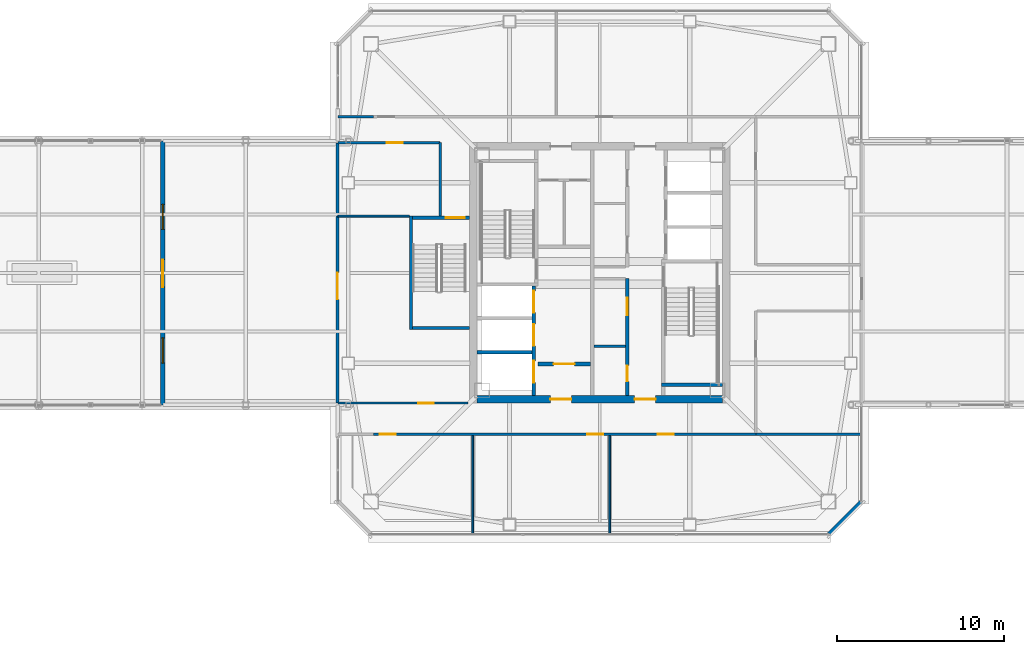
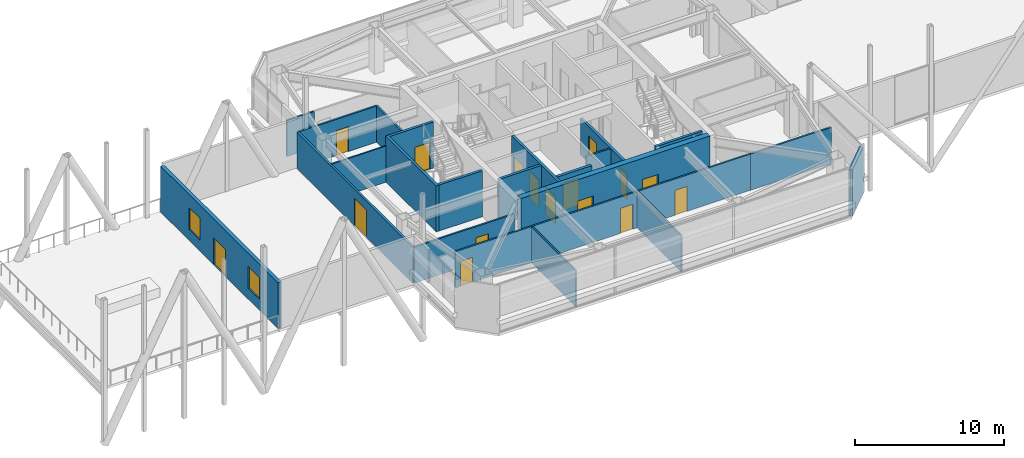
# One storey, part 42 of 53: 22 walls, 16 doors, 2 windows, 18 openings.
"""IFC4 building model written with IfcOpenShell, lengths in metres."""

from ifc_helpers import new_model, si_unit, direction, frame, frame_2d, origin, place, context, subcontext, project, spatial, rectangle, extrude, material, layer, layer_set, type_object, element, fill, save


model = new_model("IFC4")

# Units and contexts
model_context = context("Model", 3, precision=1e-05, world=origin(), true_north=direction((0.0, 1.0)))
body_context = subcontext(model_context, "Body", "Model", "MODEL_VIEW")
ifc_project = project(units=[si_unit("LENGTHUNIT", "METRE"), si_unit("AREAUNIT", "SQUARE_METRE"), si_unit("VOLUMEUNIT", "CUBIC_METRE"), si_unit("PLANEANGLEUNIT", "RADIAN"), si_unit("MASSUNIT", "GRAM", prefix="KILO")], contexts=[model_context])

# Site, building, storey
site_placement = place(None, origin())
site = spatial("IfcSite", under=ifc_project, at=site_placement, CompositionType="ELEMENT")
building_placement = place(site_placement, origin())
building = spatial("IfcBuilding", under=site, at=building_placement, Name="Tashvorn Skyway Center", CompositionType="ELEMENT")
storey_placement = place(building_placement, frame((0.0, 0.0, 255.39990234375)))
storey = spatial("IfcBuildingStorey", under=building, at=storey_placement, Name="L69", CompositionType="ELEMENT", Elevation=255.39990234375)

# Wall, openings, doors
ifc_material_1 = material(Name="Concrete C50/60", Category="concrete")
ifc_layer_1 = layer(ifc_material_1, 0.449951171875)
ifc_layer_set_1 = layer_set([ifc_layer_1], Name="Concrete C50/60")
wall_type_1 = type_object("IfcWallType", Name="WALL-CORE-450", PredefinedType="SHEAR", material=ifc_layer_set_1)
wall_1_placement = place(storey_placement, frame((49.35009765625, 24.425048828125, 0.0), z_axis=(0.0, 0.0, 1.0), x_axis=(-1.0, 0.0, 0.0)))
wall_1 = element("IfcWall", 1, at=wall_1_placement, inside=storey, type_object=wall_type_1, Name="Tower 1 L69 South Core Shear Wall", PredefinedType="SHEAR", context=body_context, shape_type="SweptSolid", body=[
    extrude(rectangle(XDim=14.7001953125, YDim=0.449951171875, at=frame_2d((7.35009765625, 0.0))), origin(), (0.0, 0.0, 1.0), 4.0),
])
opening_1_placement = place(wall_1_placement, frame((9.050048828125, 0.0, 0.0)))
opening_1 = element("IfcOpeningElement", 2, at=opening_1_placement, cuts=wall_1, Name="Opening D-FFL-1250", PredefinedType="OPENING", context=body_context, shape_type="SweptSolid", body=[
    extrude(rectangle(XDim=1.25, YDim=2.25, at=frame_2d((0.625, 1.125))), frame((0.0, 0.23486328125, 0.0), z_axis=(0.0, -1.0, 0.0), x_axis=(1.0, 0.0, 0.0)), (0.0, 0.0, 1.0), 0.469970703125),
])
opening_2_placement = place(wall_1_placement, frame((4.0, 0.0, 0.0)))
opening_2 = element("IfcOpeningElement", 3, at=opening_2_placement, cuts=wall_1, Name="Opening D-FFL-1250", PredefinedType="OPENING", context=body_context, shape_type="SweptSolid", body=[
    extrude(rectangle(XDim=1.25, YDim=2.25, at=frame_2d((0.625, 1.125))), frame((0.0, 0.23486328125, 0.0), z_axis=(0.0, -1.0, 0.0), x_axis=(1.0, 0.0, 0.0)), (0.0, 0.0, 1.0), 0.469970703125),
])
ifc_material_2 = material(Name="Hollow galvanized steel fire door assembly", Category="steel")
door_type_1 = type_object("IfcDoorType", Name="DOOR-FFL-1250", OperationType="NOTDEFINED", PredefinedType="DOOR", material=ifc_material_2)
door_1_placement = place(opening_1_placement, origin())
door_1 = element("IfcDoor", 4, at=door_1_placement, inside=storey, type_object=door_type_1, Name="Tower 1 L69 Core South Firefighting Exit Door", OperationType="SINGLE_SWING_LEFT", OverallHeight=2.25, OverallWidth=1.25, PredefinedType="DOOR", context=body_context, shape_type="SweptSolid", body=[
    extrude(rectangle(XDim=1.25, YDim=2.25, at=frame_2d((0.625, 1.125))), frame((0.0, 0.02490234375, 0.0), z_axis=(0.0, -1.0, 0.0), x_axis=(1.0, 0.0, 0.0)), (0.0, 0.0, 1.0), 0.050048828125),
])
fill(opening_1, door_1)
door_2_placement = place(opening_2_placement, origin())
door_2 = element("IfcDoor", 5, at=door_2_placement, inside=storey, type_object=door_type_1, Name="Tower 1 L69 Core South Lift Lobby Door", OperationType="SINGLE_SWING_RIGHT", OverallHeight=2.25, OverallWidth=1.25, PredefinedType="DOOR", context=body_context, shape_type="SweptSolid", body=[
    extrude(rectangle(XDim=1.25, YDim=2.25, at=frame_2d((0.625, 1.125))), frame((0.0, 0.02490234375, 0.0), z_axis=(0.0, -1.0, 0.0), x_axis=(1.0, 0.0, 0.0)), (0.0, 0.0, 1.0), 0.050048828125),
])
fill(opening_2, door_2)

# Wall
ifc_material_3 = material(Name="Precast concrete C40/50", Category="concrete")
ifc_layer_2 = layer(ifc_material_3, 0.280029296875)
ifc_layer_set_2 = layer_set([ifc_layer_2], Name="Precast concrete C40/50")
wall_type_2 = type_object("IfcWallType", Name="WALL-EXT-280", PredefinedType="SOLIDWALL", material=ifc_layer_set_2)
wall_2_placement = place(storey_placement, frame((57.699951171875, 18.300048828125, 0.0), z_axis=(0.0, 0.0, 1.0), x_axis=(-0.707106781187, -0.707106781187, 0.0)))
element("IfcWall", 6, at=wall_2_placement, inside=storey, type_object=wall_type_2, Name="Tower 1 L69 SE Precast Chamfer Wall", PredefinedType="SOLIDWALL", context=body_context, shape_type="SweptSolid", body=[
    extrude(rectangle(XDim=2.828369140625, YDim=0.280029296875, at=frame_2d((1.4140625, 0.0))), origin(), (0.0, 0.0, 1.0), 3.780029296875),
])

# Wall, openings, door, windows
wall_3_placement = place(storey_placement, frame((15.840087890625, 24.10009765625, 0.0), z_axis=(0.0, 0.0, 1.0), x_axis=(0.0, 1.0, 0.0)))
wall_3 = element("IfcWall", 7, at=wall_3_placement, inside=storey, type_object=wall_type_2, Name="Sky-Park L69 West Sky-Garden Portal Wall", PredefinedType="SOLIDWALL", context=body_context, shape_type="SweptSolid", body=[
    extrude(rectangle(XDim=15.7998046875, YDim=0.280029296875, at=frame_2d((7.89990234375, 0.0))), origin(), (0.0, 0.0, 1.0), 3.780029296875),
])
opening_3_placement = place(wall_3_placement, frame((7.050048828125, 0.0, 0.0)))
opening_3 = element("IfcOpeningElement", 8, at=opening_3_placement, cuts=wall_3, Name="Opening D-TER-1650", PredefinedType="OPENING", context=body_context, shape_type="SweptSolid", body=[
    extrude(rectangle(XDim=1.64990234375, YDim=2.199951171875, at=frame_2d((0.824951171875, 1.10009765625))), frame((0.0, 0.14990234375, 0.0), z_axis=(0.0, -1.0, 0.0), x_axis=(1.0, 0.0, 0.0)), (0.0, 0.0, 1.0), 0.300048828125),
])
opening_4_placement = place(wall_3_placement, frame((2.5, 0.0, 0.89990234375)))
opening_4 = element("IfcOpeningElement", 9, at=opening_4_placement, cuts=wall_3, Name="Opening WIN-1500", PredefinedType="OPENING", context=body_context, shape_type="SweptSolid", body=[
    extrude(rectangle(XDim=1.5, YDim=1.800048828125, at=frame_2d((0.75, 0.89990234375))), frame((0.0, 0.14990234375, 0.0), z_axis=(0.0, -1.0, 0.0), x_axis=(1.0, 0.0, 0.0)), (0.0, 0.0, 1.0), 0.300048828125),
])
opening_5_placement = place(wall_3_placement, frame((10.5, 0.0, 0.89990234375)))
opening_5 = element("IfcOpeningElement", 10, at=opening_5_placement, cuts=wall_3, Name="Opening WIN-1500", PredefinedType="OPENING", context=body_context, shape_type="SweptSolid", body=[
    extrude(rectangle(XDim=1.5, YDim=1.800048828125, at=frame_2d((0.75, 0.89990234375))), frame((0.0, 0.14990234375, 0.0), z_axis=(0.0, -1.0, 0.0), x_axis=(1.0, 0.0, 0.0)), (0.0, 0.0, 1.0), 0.300048828125),
])
ifc_material_4 = material(Name="Thermally broken bronze-anodized aluminium 6063-T6", Category="aluminium")
door_type_2 = type_object("IfcDoorType", Name="DOOR-TERR-1650", OperationType="DOUBLE_DOOR_SINGLE_SWING", PredefinedType="DOOR", material=ifc_material_4)
door_3_placement = place(opening_3_placement, origin())
door_3 = element("IfcDoor", 11, at=door_3_placement, inside=storey, type_object=door_type_2, Name="Sky-Park L69 Cantilever Terrace Double Door", OperationType="DOUBLE_DOOR_SINGLE_SWING", OverallHeight=2.199951171875, OverallWidth=1.64990234375, PredefinedType="DOOR", context=body_context, shape_type="SweptSolid", body=[
    extrude(rectangle(XDim=1.64990234375, YDim=2.199951171875, at=frame_2d((0.824951171875, 1.10009765625))), frame((0.0, 0.02490234375, 0.0), z_axis=(0.0, -1.0, 0.0), x_axis=(1.0, 0.0, 0.0)), (0.0, 0.0, 1.0), 0.050048828125),
])
fill(opening_3, door_3)
ifc_material_5 = material(Name="Low-E solar-control double insulating safety glass", Category="glass")
window_type = type_object("IfcWindowType", Name="WIN-PAV-1500", PartitioningType="SINGLE_PANEL", PredefinedType="WINDOW", material=ifc_material_5)
window_1_placement = place(opening_4_placement, origin())
window_1 = element("IfcWindow", 12, at=window_1_placement, inside=storey, type_object=window_type, Name="Sky-Park L69 Cantilever Portal Window South", OverallHeight=1.800048828125, OverallWidth=1.5, PartitioningType="SINGLE_PANEL", PredefinedType="WINDOW", context=body_context, shape_type="SweptSolid", body=[
    extrude(rectangle(XDim=1.5, YDim=1.800048828125, at=frame_2d((0.75, 0.89990234375))), frame((0.0, 0.030029296875, 0.0), z_axis=(0.0, -1.0, 0.0), x_axis=(1.0, 0.0, 0.0)), (0.0, 0.0, 1.0), 0.06005859375),
])
fill(opening_4, window_1)
window_2_placement = place(opening_5_placement, origin())
window_2 = element("IfcWindow", 13, at=window_2_placement, inside=storey, type_object=window_type, Name="Sky-Park L69 Cantilever Portal Window North", OverallHeight=1.800048828125, OverallWidth=1.5, PartitioningType="SINGLE_PANEL", PredefinedType="WINDOW", context=body_context, shape_type="SweptSolid", body=[
    extrude(rectangle(XDim=1.5, YDim=1.800048828125, at=frame_2d((0.75, 0.89990234375))), frame((0.0, 0.030029296875, 0.0), z_axis=(0.0, -1.0, 0.0), x_axis=(1.0, 0.0, 0.0)), (0.0, 0.0, 1.0), 0.06005859375),
])
fill(opening_5, window_2)

# Wall, opening, door
ifc_material_6 = material(Name="Concrete C40/50", Category="concrete")
ifc_layer_3 = layer(ifc_material_6, 0.219970703125)
ifc_layer_set_3 = layer_set([ifc_layer_3], Name="Concrete C40/50")
wall_type_3 = type_object("IfcWallType", Name="WALL-FFL-220", PredefinedType="SOLIDWALL", material=ifc_layer_set_3)
wall_4_placement = place(storey_placement, frame((38.300048828125, 26.5400390625, 0.0), z_axis=(0.0, 0.0, 1.0), x_axis=(1.0, 0.0, 0.0)))
wall_4 = element("IfcWall", 14, at=wall_4_placement, inside=storey, type_object=wall_type_3, Name="Tower 1 L69 Firefighting Lobby South Wall", PredefinedType="SOLIDWALL", context=body_context, shape_type="SweptSolid", body=[
    extrude(rectangle(XDim=3.14990234375, YDim=0.219970703125, at=frame_2d((1.574951171875, 0.0))), origin(), (0.0, 0.0, 1.0), 2.97119140625),
])
opening_6_placement = place(wall_4_placement, frame((0.949951171875, 0.0, 0.0)))
opening_6 = element("IfcOpeningElement", 15, at=opening_6_placement, cuts=wall_4, Name="Opening D-FFL-1250", PredefinedType="OPENING", context=body_context, shape_type="SweptSolid", body=[
    extrude(rectangle(XDim=1.25, YDim=2.25, at=frame_2d((0.625, 1.125))), frame((0.0, 0.119873046875, 0.0), z_axis=(0.0, -1.0, 0.0), x_axis=(1.0, 0.0, 0.0)), (0.0, 0.0, 1.0), 0.239990234375),
])
door_4_placement = place(opening_6_placement, origin())
door_4 = element("IfcDoor", 16, at=door_4_placement, inside=storey, type_object=door_type_1, Name="Tower 1 L69 Firefighting Lobby Egress Door", OperationType="SINGLE_SWING_LEFT", OverallHeight=2.25, OverallWidth=1.25, PredefinedType="DOOR", context=body_context, shape_type="SweptSolid", body=[
    extrude(rectangle(XDim=1.25, YDim=2.25, at=frame_2d((0.625, 1.125))), frame((0.0, 0.02490234375, 0.0), z_axis=(0.0, -1.0, 0.0), x_axis=(1.0, 0.0, 0.0)), (0.0, 0.0, 1.0), 0.050048828125),
])
fill(opening_6, door_4)

# Walls
ifc_material_7 = material(Name="Gypsum board on cold-formed steel stud framing", Category="steel")
ifc_layer_4 = layer(ifc_material_7, 0.110107421875)
ifc_layer_set_4 = layer_set([ifc_layer_4], Name="Gypsum board on cold-formed steel stud framing")
wall_type_4 = type_object("IfcWallType", Name="WALL-PART-110", PredefinedType="PARTITIONING", material=ifc_layer_set_4)
for number, where, z_axis, x_axis, name in (
    (17, (34.39990234375, 16.320068359375, 0.0), (0.0, 0.0, 1.0), (0.0, 1.0, 0.0), "Tower 1 L69 South Suite Partition 1"),
    (18, (42.60009765625, 16.320068359375, 0.0), (0.0, 0.0, 1.0), (0.0, 1.0, 0.0), "Tower 1 L69 South Suite Partition 2"),
):
    element("IfcWall", number, at=place(storey_placement, frame(where, z_axis=z_axis, x_axis=x_axis)), inside=storey, type_object=wall_type_4, Name=name, PredefinedType="PARTITIONING", context=body_context, shape_type="SweptSolid", body=[
        extrude(rectangle(XDim=5.929931640625, YDim=0.110107421875, at=frame_2d((2.96484375, 0.0))), origin(), (0.0, 0.0, 1.0), 2.97119140625),
    ])
wall_5_placement = place(storey_placement, frame((30.60009765625, 35.39990234375, 0.0), z_axis=(0.0, 0.0, 1.0), x_axis=(-1.0, 0.0, 0.0)))
element("IfcWall", 19, at=wall_5_placement, inside=storey, type_object=wall_type_4, Name="Tower 1 L69 West Suite Partition 1", PredefinedType="PARTITIONING", context=body_context, shape_type="SweptSolid", body=[
    extrude(rectangle(XDim=4.280029296875, YDim=0.110107421875, at=frame_2d((2.14013671875, 0.0))), origin(), (0.0, 0.0, 1.0), 2.97119140625),
])
ifc_layer_5 = layer(ifc_material_7, 0.135009765625)
ifc_layer_set_5 = layer_set([ifc_layer_5], Name="Gypsum board on cold-formed steel stud framing")
wall_type_5 = type_object("IfcWallType", Name="WALL-PART-135", PredefinedType="PARTITIONING", material=ifc_layer_set_5)
wall_6_placement = place(storey_placement, frame((32.449951171875, 35.39990234375, 0.0), z_axis=(0.0, 0.0, 1.0), x_axis=(0.0, 1.0, 0.0)))
element("IfcWall", 20, at=wall_6_placement, inside=storey, type_object=wall_type_5, Name="Tower 1 L69 Stair 3 Access Corridor Wall", PredefinedType="PARTITIONING", context=body_context, shape_type="SweptSolid", body=[
    extrude(rectangle(XDim=4.400146484375, YDim=0.135009765625, at=frame_2d((2.2001953125, 0.0))), origin(), (0.0, 0.0, 1.0), 2.97119140625),
])
wall_7_placement = place(storey_placement, frame((26.320068359375, 41.35009765625, 0.0), z_axis=(0.0, 0.0, 1.0), x_axis=(1.0, 0.0, 0.0)))
element("IfcWall", 21, at=wall_7_placement, inside=storey, type_object=wall_type_5, Name="Tower 1 L69 North-West Suite South Wall", PredefinedType="PARTITIONING", context=body_context, shape_type="SweptSolid", body=[
    extrude(rectangle(XDim=2.1298828125, YDim=0.135009765625, at=frame_2d((1.06494140625, 0.0))), origin(), (0.0, 0.0, 1.0), 2.97119140625),
])

# Wall, openings, doors
wall_8_placement = place(storey_placement, frame((51.35009765625, 22.330078125, 0.0), z_axis=(0.0, 0.0, 1.0), x_axis=(-1.0, 0.0, 0.0)))
wall_8 = element("IfcWall", 22, at=wall_8_placement, inside=storey, type_object=wall_type_5, Name="Tower 1 L69 South Suite Wall", PredefinedType="PARTITIONING", context=body_context, shape_type="SweptSolid", body=[
    extrude(rectangle(XDim=22.900146484375, YDim=0.135009765625, at=frame_2d((11.4501953125, 0.0))), origin(), (0.0, 0.0, 1.0), 2.97119140625),
])
opening_7_placement = place(wall_8_placement, frame((21.570068359375, 0.0, 0.0)))
opening_7 = element("IfcOpeningElement", 23, at=opening_7_placement, cuts=wall_8, Name="Opening D-INT-950", PredefinedType="OPENING", context=body_context, shape_type="SweptSolid", body=[
    extrude(rectangle(XDim=0.949951171875, YDim=2.050048828125, at=frame_2d((0.47509765625, 1.02490234375))), frame((0.0, 0.077392578125, 0.0), z_axis=(0.0, -1.0, 0.0), x_axis=(1.0, 0.0, 0.0)), (0.0, 0.0, 1.0), 0.155029296875),
])
opening_8_placement = place(wall_8_placement, frame((9.1298828125, 0.0, 0.0)))
opening_8 = element("IfcOpeningElement", 24, at=opening_8_placement, cuts=wall_8, Name="Opening D-INT-950", PredefinedType="OPENING", context=body_context, shape_type="SweptSolid", body=[
    extrude(rectangle(XDim=0.949951171875, YDim=2.050048828125, at=frame_2d((0.47509765625, 1.02490234375))), frame((0.0, 0.077392578125, 0.0), z_axis=(0.0, -1.0, 0.0), x_axis=(1.0, 0.0, 0.0)), (0.0, 0.0, 1.0), 0.155029296875),
])
opening_9_placement = place(wall_8_placement, frame((4.90576171875, 0.0, 0.0)))
opening_9 = element("IfcOpeningElement", 25, at=opening_9_placement, cuts=wall_8, Name="Opening D-INT-950", PredefinedType="OPENING", context=body_context, shape_type="SweptSolid", body=[
    extrude(rectangle(XDim=0.949951171875, YDim=2.050048828125, at=frame_2d((0.47509765625, 1.02490234375))), frame((0.0, 0.077392578125, 0.0), z_axis=(0.0, -1.0, 0.0), x_axis=(1.0, 0.0, 0.0)), (0.0, 0.0, 1.0), 0.155029296875),
])
ifc_material_8 = material(Name="Solid-core architectural oak veneer door")
door_type_3 = type_object("IfcDoorType", Name="DOOR-INT-950", OperationType="NOTDEFINED", PredefinedType="DOOR", material=ifc_material_8)
door_5_placement = place(opening_7_placement, origin())
door_5 = element("IfcDoor", 26, at=door_5_placement, inside=storey, type_object=door_type_3, Name="Tower 1 L69 Open Plan Office Door", OperationType="SINGLE_SWING_RIGHT", OverallHeight=2.050048828125, OverallWidth=0.949951171875, PredefinedType="DOOR", context=body_context, shape_type="SweptSolid", body=[
    extrude(rectangle(XDim=0.949951171875, YDim=2.050048828125, at=frame_2d((0.47509765625, 1.02490234375))), frame((0.0, 0.02490234375, 0.0), z_axis=(0.0, -1.0, 0.0), x_axis=(1.0, 0.0, 0.0)), (0.0, 0.0, 1.0), 0.050048828125),
])
fill(opening_7, door_5)
door_6_placement = place(opening_8_placement, origin())
door_6 = element("IfcDoor", 27, at=door_6_placement, inside=storey, type_object=door_type_3, Name="Tower 1 L69 Staff Fitness Club Door", OperationType="SINGLE_SWING_LEFT", OverallHeight=2.050048828125, OverallWidth=0.949951171875, PredefinedType="DOOR", context=body_context, shape_type="SweptSolid", body=[
    extrude(rectangle(XDim=0.949951171875, YDim=2.050048828125, at=frame_2d((0.47509765625, 1.02490234375))), frame((0.0, 0.02490234375, 0.0), z_axis=(0.0, -1.0, 0.0), x_axis=(1.0, 0.0, 0.0)), (0.0, 0.0, 1.0), 0.050048828125),
])
fill(opening_8, door_6)
door_7_placement = place(opening_9_placement, origin())
door_7 = element("IfcDoor", 28, at=door_7_placement, inside=storey, type_object=door_type_3, Name="Tower 1 L69 Staff Fitness Club Door", OperationType="SINGLE_SWING_RIGHT", OverallHeight=2.050048828125, OverallWidth=0.949951171875, PredefinedType="DOOR", context=body_context, shape_type="SweptSolid", body=[
    extrude(rectangle(XDim=0.949951171875, YDim=2.050048828125, at=frame_2d((0.47509765625, 1.02490234375))), frame((0.0, 0.02490234375, 0.0), z_axis=(0.0, -1.0, 0.0), x_axis=(1.0, 0.0, 0.0)), (0.0, 0.0, 1.0), 0.050048828125),
])
fill(opening_9, door_7)

# Wall
wall_9_placement = place(storey_placement, frame((51.35009765625, 22.330078125, 0.0), z_axis=(0.0, 0.0, 1.0), x_axis=(1.0, 0.0, 0.0)))
element("IfcWall", 29, at=wall_9_placement, inside=storey, type_object=wall_type_5, Name="Tower 1 L69 South-East Suite North Wall", PredefinedType="PARTITIONING", context=body_context, shape_type="SweptSolid", body=[
    extrude(rectangle(XDim=6.329833984375, YDim=0.135009765625, at=frame_2d((3.1650390625, 0.0))), origin(), (0.0, 0.0, 1.0), 2.97119140625),
])

# Wall, opening, door
wall_10_placement = place(storey_placement, frame((32.449951171875, 39.800048828125, 0.0), z_axis=(0.0, 0.0, 1.0), x_axis=(-1.0, 0.0, 0.0)))
wall_10 = element("IfcWall", 30, at=wall_10_placement, inside=storey, type_object=wall_type_5, Name="Tower 1 L69 West Suite North Wall", PredefinedType="PARTITIONING", context=body_context, shape_type="SweptSolid", body=[
    extrude(rectangle(XDim=6.1298828125, YDim=0.135009765625, at=frame_2d((3.06494140625, 0.0))), origin(), (0.0, 0.0, 1.0), 2.97119140625),
])
opening_10_placement = place(wall_10_placement, frame((2.239990234375, 0.0, 0.0)))
opening_10 = element("IfcOpeningElement", 31, at=opening_10_placement, cuts=wall_10, Name="Opening D-INT-950", PredefinedType="OPENING", context=body_context, shape_type="SweptSolid", body=[
    extrude(rectangle(XDim=0.949951171875, YDim=2.050048828125, at=frame_2d((0.47509765625, 1.02490234375))), frame((0.0, 0.077392578125, 0.0), z_axis=(0.0, -1.0, 0.0), x_axis=(1.0, 0.0, 0.0)), (0.0, 0.0, 1.0), 0.155029296875),
])
door_8_placement = place(opening_10_placement, origin())
door_8 = element("IfcDoor", 32, at=door_8_placement, inside=storey, type_object=door_type_3, Name="Tower 1 L69 Staff Fitness Club Door", OperationType="SINGLE_SWING_LEFT", OverallHeight=2.050048828125, OverallWidth=0.949951171875, PredefinedType="DOOR", context=body_context, shape_type="SweptSolid", body=[
    extrude(rectangle(XDim=0.949951171875, YDim=2.050048828125, at=frame_2d((0.47509765625, 1.02490234375))), frame((0.0, 0.02490234375, 0.0), z_axis=(0.0, -1.0, 0.0), x_axis=(1.0, 0.0, 0.0)), (0.0, 0.0, 1.0), 0.050048828125),
])
fill(opening_10, door_8)

wall_11_placement = place(storey_placement, frame((26.320068359375, 24.199951171875, 0.0), z_axis=(0.0, 0.0, 1.0), x_axis=(1.0, 0.0, 0.0)))
wall_11 = element("IfcWall", 33, at=wall_11_placement, inside=storey, type_object=wall_type_5, Name="Tower 1 L69 West Suite South Wall", PredefinedType="PARTITIONING", context=body_context, shape_type="SweptSolid", body=[
    extrude(rectangle(XDim=7.800048828125, YDim=0.135009765625, at=frame_2d((3.89990234375, 0.0))), origin(), (0.0, 0.0, 1.0), 2.97119140625),
])
opening_11_placement = place(wall_11_placement, frame((4.804931640625, 0.0, 0.0)))
opening_11 = element("IfcOpeningElement", 34, at=opening_11_placement, cuts=wall_11, Name="Opening D-INT-950", PredefinedType="OPENING", context=body_context, shape_type="SweptSolid", body=[
    extrude(rectangle(XDim=0.949951171875, YDim=2.050048828125, at=frame_2d((0.47509765625, 1.02490234375))), frame((0.0, 0.077392578125, 0.0), z_axis=(0.0, -1.0, 0.0), x_axis=(1.0, 0.0, 0.0)), (0.0, 0.0, 1.0), 0.155029296875),
])
door_9_placement = place(opening_11_placement, origin())
door_9 = element("IfcDoor", 35, at=door_9_placement, inside=storey, type_object=door_type_3, Name="Tower 1 L69 Breakout Lounge Door", OperationType="SINGLE_SWING_RIGHT", OverallHeight=2.050048828125, OverallWidth=0.949951171875, PredefinedType="DOOR", context=body_context, shape_type="SweptSolid", body=[
    extrude(rectangle(XDim=0.949951171875, YDim=2.050048828125, at=frame_2d((0.47509765625, 1.02490234375))), frame((0.0, 0.02490234375, 0.0), z_axis=(0.0, -1.0, 0.0), x_axis=(1.0, 0.0, 0.0)), (0.0, 0.0, 1.0), 0.050048828125),
])
fill(opening_11, door_9)

ifc_layer_6 = layer(ifc_material_7, 0.159912109375)
ifc_layer_set_6 = layer_set([ifc_layer_6], Name="Gypsum board on cold-formed steel stud framing")
wall_type_6 = type_object("IfcWallType", Name="WALL-PART-160", PredefinedType="PARTITIONING", material=ifc_layer_set_6)
wall_12_placement = place(storey_placement, frame((26.300048828125, 24.219970703125, 0.0), z_axis=(0.0, 0.0, 1.0), x_axis=(0.0, 1.0, 0.0)))
wall_12 = element("IfcWall", 36, at=wall_12_placement, inside=storey, type_object=wall_type_6, Name="L69 Sky-Park Cantilever Entry Wall", PredefinedType="PARTITIONING", context=body_context, shape_type="SweptSolid", body=[
    extrude(rectangle(XDim=15.56005859375, YDim=0.159912109375, at=frame_2d((7.780029296875, 0.0))), origin(), (0.0, 0.0, 1.0), 2.97119140625),
])
opening_12_placement = place(wall_12_placement, frame((6.199951171875, 0.0, 0.0)))
opening_12 = element("IfcOpeningElement", 37, at=opening_12_placement, cuts=wall_12, Name="Opening D-DBL-1600", PredefinedType="OPENING", context=body_context, shape_type="SweptSolid", body=[
    extrude(rectangle(XDim=1.60009765625, YDim=2.25, at=frame_2d((0.800048828125, 1.125))), frame((0.0, 0.08984375, 0.0), z_axis=(0.0, -1.0, 0.0), x_axis=(1.0, 0.0, 0.0)), (0.0, 0.0, 1.0), 0.179931640625),
])
ifc_material_9 = material(Name="Anodized aluminium and tempered safety glass", Category="aluminium")
door_type_4 = type_object("IfcDoorType", Name="DOOR-DBL-1600", OperationType="DOUBLE_DOOR_SINGLE_SWING", PredefinedType="DOOR", material=ifc_material_9)
door_10_placement = place(opening_12_placement, origin())
door_10 = element("IfcDoor", 38, at=door_10_placement, inside=storey, type_object=door_type_4, Name="L69 Cantilever Gallery Entry Door", OperationType="DOUBLE_DOOR_SINGLE_SWING", OverallHeight=2.25, OverallWidth=1.60009765625, PredefinedType="DOOR", context=body_context, shape_type="SweptSolid", body=[
    extrude(rectangle(XDim=1.60009765625, YDim=2.25, at=frame_2d((0.800048828125, 1.125))), frame((0.0, 0.02490234375, 0.0), z_axis=(0.0, -1.0, 0.0), x_axis=(1.0, 0.0, 0.0)), (0.0, 0.0, 1.0), 0.050048828125),
])
fill(opening_12, door_10)

# Walls
ifc_layer_7 = layer(ifc_material_7, 0.135009765625)
ifc_layer_set_7 = layer_set([ifc_layer_7], Name="Gypsum board on cold-formed steel stud framing")
wall_type_7 = type_object("IfcWallType", Name="WALL-RATED-135", PredefinedType="PARTITIONING", material=ifc_layer_set_7)
wall_13_placement = place(storey_placement, frame((41.669921875, 27.60009765625, 0.0), z_axis=(0.0, 0.0, 1.0), x_axis=(1.0, 0.0, 0.0)))
element("IfcWall", 39, at=wall_13_placement, inside=storey, type_object=wall_type_7, Name="Tower 1 L69 Freed Core Partition", PredefinedType="PARTITIONING", context=body_context, shape_type="SweptSolid", body=[
    extrude(rectangle(XDim=1.880126953125, YDim=0.135009765625, at=frame_2d((0.93994140625, 0.0))), origin(), (0.0, 0.0, 1.0), 2.97119140625),
])
ifc_layer_8 = layer(ifc_material_6, 0.199951171875)
ifc_layer_set_8 = layer_set([ifc_layer_8], Name="Concrete C40/50")
wall_type_8 = type_object("IfcWallType", Name="WALL-SHAFT-200", PredefinedType="SOLIDWALL", material=ifc_layer_set_8)
wall_14_placement = place(storey_placement, frame((34.64990234375, 27.25, 0.0), z_axis=(0.0, 0.0, 1.0), x_axis=(1.0, 0.0, 0.0)))
element("IfcWall", 40, at=wall_14_placement, inside=storey, type_object=wall_type_8, Name="Tower 1 L69 FSAE Shaft Divider", PredefinedType="SOLIDWALL", context=body_context, shape_type="SweptSolid", body=[
    extrude(rectangle(XDim=3.300048828125, YDim=0.199951171875, at=frame_2d((1.64990234375, 0.0))), origin(), (0.0, 0.0, 1.0), 3.780029296875),
])

# Wall, openings, doors
wall_15_placement = place(storey_placement, frame((43.64990234375, 24.64990234375, 0.0), z_axis=(0.0, 0.0, 1.0), x_axis=(0.0, 1.0, 0.0)))
wall_15 = element("IfcWall", 41, at=wall_15_placement, inside=storey, type_object=wall_type_8, Name="Tower 1 L69 Low-Rise Core Wall", PredefinedType="SOLIDWALL", context=body_context, shape_type="SweptSolid", body=[
    extrude(rectangle(XDim=7.0, YDim=0.199951171875, at=frame_2d((3.5, 0.0))), origin(), (0.0, 0.0, 1.0), 2.97119140625),
])
opening_13_placement = place(wall_15_placement, frame((0.85009765625, 0.0, 0.0)))
opening_13 = element("IfcOpeningElement", 42, at=opening_13_placement, cuts=wall_15, Name="Opening D-RT-950", PredefinedType="OPENING", context=body_context, shape_type="SweptSolid", body=[
    extrude(rectangle(XDim=0.949951171875, YDim=2.050048828125, at=frame_2d((0.47509765625, 1.02490234375))), frame((0.0, 0.10986328125, 0.0), z_axis=(0.0, -1.0, 0.0), x_axis=(1.0, 0.0, 0.0)), (0.0, 0.0, 1.0), 0.219970703125),
])
opening_14_placement = place(wall_15_placement, frame((4.800048828125, 0.0, 0.0)))
opening_14 = element("IfcOpeningElement", 43, at=opening_14_placement, cuts=wall_15, Name="Opening D-RT-1050", PredefinedType="OPENING", context=body_context, shape_type="SweptSolid", body=[
    extrude(rectangle(XDim=1.050048828125, YDim=2.199951171875, at=frame_2d((0.52490234375, 1.10009765625))), frame((0.0, 0.10986328125, 0.0), z_axis=(0.0, -1.0, 0.0), x_axis=(1.0, 0.0, 0.0)), (0.0, 0.0, 1.0), 0.219970703125),
])
door_type_5 = type_object("IfcDoorType", Name="DOOR-RATED-1050", OperationType="NOTDEFINED", PredefinedType="DOOR", material=ifc_material_2)
door_11_placement = place(opening_14_placement, origin())
door_11 = element("IfcDoor", 44, at=door_11_placement, inside=storey, type_object=door_type_5, Name="Tower 1 L69 Freed Core Room Door", OperationType="SINGLE_SWING_RIGHT", OverallHeight=2.199951171875, OverallWidth=1.050048828125, PredefinedType="DOOR", context=body_context, shape_type="SweptSolid", body=[
    extrude(rectangle(XDim=1.050048828125, YDim=2.199951171875, at=frame_2d((0.52490234375, 1.10009765625))), frame((0.0, 0.02490234375, 0.0), z_axis=(0.0, -1.0, 0.0), x_axis=(1.0, 0.0, 0.0)), (0.0, 0.0, 1.0), 0.050048828125),
])
fill(opening_14, door_11)
door_type_6 = type_object("IfcDoorType", Name="DOOR-RATED-950", OperationType="NOTDEFINED", PredefinedType="DOOR", material=ifc_material_2)
door_12_placement = place(opening_13_placement, origin())
door_12 = element("IfcDoor", 45, at=door_12_placement, inside=storey, type_object=door_type_6, Name="Tower 1 L69 Core Print Room Door", OperationType="SINGLE_SWING_LEFT", OverallHeight=2.050048828125, OverallWidth=0.949951171875, PredefinedType="DOOR", context=body_context, shape_type="SweptSolid", body=[
    extrude(rectangle(XDim=0.949951171875, YDim=2.050048828125, at=frame_2d((0.47509765625, 1.02490234375))), frame((0.0, 0.02490234375, 0.0), z_axis=(0.0, -1.0, 0.0), x_axis=(1.0, 0.0, 0.0)), (0.0, 0.0, 1.0), 0.050048828125),
])
fill(opening_13, door_12)

# Wall
ifc_layer_9 = layer(ifc_material_6, 0.199951171875)
ifc_layer_set_9 = layer_set([ifc_layer_9], Name="Concrete C40/50")
wall_type_9 = type_object("IfcWallType", Name="WALL-STSHF-200", PredefinedType="SHEAR", material=ifc_layer_set_9)
wall_16_placement = place(storey_placement, frame((45.699951171875, 25.300048828125, 0.0), z_axis=(0.0, 0.0, 1.0), x_axis=(1.0, 0.0, 0.0)))
element("IfcWall", 46, at=wall_16_placement, inside=storey, type_object=wall_type_9, Name="Tower 1 L69 Stair 2 South Wall", PredefinedType="SHEAR", context=body_context, shape_type="SweptSolid", body=[
    extrude(rectangle(XDim=3.650146484375, YDim=0.199951171875, at=frame_2d((1.8251953125, 0.0))), origin(), (0.0, 0.0, 1.0), 3.780029296875),
])

# Wall, openings, doors
wall_17_placement = place(storey_placement, frame((38.050048828125, 24.64990234375, 0.0), z_axis=(0.0, 0.0, 1.0), x_axis=(0.0, 1.0, 0.0)))
wall_17 = element("IfcWall", 47, at=wall_17_placement, inside=storey, type_object=wall_type_9, Name="Tower 1 L69 FSAE and Goods Shaft Front Wall", PredefinedType="SHEAR", context=body_context, shape_type="SweptSolid", body=[
    extrude(rectangle(XDim=6.550048828125, YDim=0.199951171875, at=frame_2d((3.27490234375, 0.0))), origin(), (0.0, 0.0, 1.0), 3.780029296875),
])
opening_15_placement = place(wall_17_placement, frame((4.97509765625, 0.0, 0.0)))
opening_15 = element("IfcOpeningElement", 48, at=opening_15_placement, cuts=wall_17, Name="Opening LD-FF-T1-1-L69", PredefinedType="OPENING", context=body_context, shape_type="SweptSolid", body=[
    extrude(rectangle(XDim=1.300048828125, YDim=2.25, at=frame_2d((0.64990234375, 1.125))), frame((0.0, 0.10986328125, 0.0), z_axis=(0.0, -1.0, 0.0), x_axis=(1.0, 0.0, 0.0)), (0.0, 0.0, 1.0), 0.219970703125),
])
opening_16_placement = place(wall_17_placement, frame((2.97509765625, 0.0, 0.0)))
opening_16 = element("IfcOpeningElement", 49, at=opening_16_placement, cuts=wall_17, Name="Opening LD-FF-T1-2-L69", PredefinedType="OPENING", context=body_context, shape_type="SweptSolid", body=[
    extrude(rectangle(XDim=1.300048828125, YDim=2.25, at=frame_2d((0.64990234375, 1.125))), frame((0.0, 0.10986328125, 0.0), z_axis=(0.0, -1.0, 0.0), x_axis=(1.0, 0.0, 0.0)), (0.0, 0.0, 1.0), 0.219970703125),
])
opening_17_placement = place(wall_17_placement, frame((0.77490234375, 0.0, 0.0)))
opening_17 = element("IfcOpeningElement", 50, at=opening_17_placement, cuts=wall_17, Name="Opening LD-GD-T1-1-L69", PredefinedType="OPENING", context=body_context, shape_type="SweptSolid", body=[
    extrude(rectangle(XDim=1.300048828125, YDim=2.25, at=frame_2d((0.64990234375, 1.125))), frame((0.0, 0.10986328125, 0.0), z_axis=(0.0, -1.0, 0.0), x_axis=(1.0, 0.0, 0.0)), (0.0, 0.0, 1.0), 0.219970703125),
])
ifc_material_10 = material(Name="Stainless steel heavy-duty landing door", Category="steel")
door_type_7 = type_object("IfcDoorType", Name="DOOR-LIFT-1300", OperationType="SLIDING_TO_LEFT", PredefinedType="DOOR", material=ifc_material_10)
door_13_placement = place(opening_15_placement, origin())
door_13 = element("IfcDoor", 51, at=door_13_placement, inside=storey, type_object=door_type_7, Name="Lift FF-T1-1 L69 Landing Door", OperationType="SLIDING_TO_LEFT", OverallHeight=2.25, OverallWidth=1.300048828125, PredefinedType="DOOR", context=body_context, shape_type="SweptSolid", body=[
    extrude(rectangle(XDim=1.300048828125, YDim=2.25, at=frame_2d((0.64990234375, 1.125))), frame((0.0, 0.02490234375, 0.0), z_axis=(0.0, -1.0, 0.0), x_axis=(1.0, 0.0, 0.0)), (0.0, 0.0, 1.0), 0.050048828125),
])
fill(opening_15, door_13)
door_14_placement = place(opening_16_placement, origin())
door_14 = element("IfcDoor", 52, at=door_14_placement, inside=storey, type_object=door_type_7, Name="Lift FF-T1-2 L69 Landing Door", OperationType="SLIDING_TO_LEFT", OverallHeight=2.25, OverallWidth=1.300048828125, PredefinedType="DOOR", context=body_context, shape_type="SweptSolid", body=[
    extrude(rectangle(XDim=1.300048828125, YDim=2.25, at=frame_2d((0.64990234375, 1.125))), frame((0.0, 0.02490234375, 0.0), z_axis=(0.0, -1.0, 0.0), x_axis=(1.0, 0.0, 0.0)), (0.0, 0.0, 1.0), 0.050048828125),
])
fill(opening_16, door_14)
door_15_placement = place(opening_17_placement, origin())
door_15 = element("IfcDoor", 53, at=door_15_placement, inside=storey, type_object=door_type_7, Name="Lift GD-T1-1 L69 Landing Door", OperationType="SLIDING_TO_LEFT", OverallHeight=2.25, OverallWidth=1.300048828125, PredefinedType="DOOR", context=body_context, shape_type="SweptSolid", body=[
    extrude(rectangle(XDim=1.300048828125, YDim=2.25, at=frame_2d((0.64990234375, 1.125))), frame((0.0, 0.02490234375, 0.0), z_axis=(0.0, -1.0, 0.0), x_axis=(1.0, 0.0, 0.0)), (0.0, 0.0, 1.0), 0.050048828125),
])
fill(opening_17, door_15)

# Wall
wall_18_placement = place(storey_placement, frame((30.699951171875, 28.60009765625, 0.0), z_axis=(0.0, 0.0, 1.0), x_axis=(0.0, 1.0, 0.0)))
element("IfcWall", 54, at=wall_18_placement, inside=storey, type_object=wall_type_9, Name="Tower 1 L69 Stair 3 Outer Wall", PredefinedType="SHEAR", context=body_context, shape_type="SweptSolid", body=[
    extrude(rectangle(XDim=6.7998046875, YDim=0.199951171875, at=frame_2d((3.39990234375, 0.0))), origin(), (0.0, 0.0, 1.0), 3.780029296875),
])

# Wall, opening, door
wall_19_placement = place(storey_placement, frame((34.199951171875, 35.300048828125, 0.0), z_axis=(0.0, 0.0, 1.0), x_axis=(-1.0, 0.0, 0.0)))
wall_19 = element("IfcWall", 55, at=wall_19_placement, inside=storey, type_object=wall_type_9, Name="Tower 1 L69 Stair 3 Enclosure Wall", PredefinedType="SHEAR", context=body_context, shape_type="SweptSolid", body=[
    extrude(rectangle(XDim=3.39990234375, YDim=0.199951171875, at=frame_2d((1.699951171875, 0.0))), origin(), (0.0, 0.0, 1.0), 3.780029296875),
])
opening_18_placement = place(wall_19_placement, frame((0.27490234375, 0.0, 0.0)))
opening_18 = element("IfcOpeningElement", 56, at=opening_18_placement, cuts=wall_19, Name="Opening D-ST-1150", PredefinedType="OPENING", context=body_context, shape_type="SweptSolid", body=[
    extrude(rectangle(XDim=1.14990234375, YDim=2.199951171875, at=frame_2d((0.574951171875, 1.10009765625))), frame((0.0, 0.10986328125, 0.0), z_axis=(0.0, -1.0, 0.0), x_axis=(1.0, 0.0, 0.0)), (0.0, 0.0, 1.0), 0.219970703125),
])
door_type_8 = type_object("IfcDoorType", Name="DOOR-STAIR-1150", OperationType="NOTDEFINED", PredefinedType="DOOR", material=ifc_material_2)
door_16_placement = place(opening_18_placement, origin())
door_16 = element("IfcDoor", 57, at=door_16_placement, inside=storey, type_object=door_type_8, Name="Tower 1 L69 Exit Stair 3 Door", OperationType="SINGLE_SWING_RIGHT", OverallHeight=2.199951171875, OverallWidth=1.14990234375, PredefinedType="DOOR", context=body_context, shape_type="SweptSolid", body=[
    extrude(rectangle(XDim=1.14990234375, YDim=2.199951171875, at=frame_2d((0.574951171875, 1.10009765625))), frame((0.0, 0.02490234375, 0.0), z_axis=(0.0, -1.0, 0.0), x_axis=(1.0, 0.0, 0.0)), (0.0, 0.0, 1.0), 0.050048828125),
])
fill(opening_18, door_16)

# Wall
wall_20_placement = place(storey_placement, frame((30.800048828125, 28.699951171875, 0.0), z_axis=(0.0, 0.0, 1.0), x_axis=(1.0, 0.0, 0.0)))
element("IfcWall", 58, at=wall_20_placement, inside=storey, type_object=wall_type_9, Name="Tower 1 L69 Stair 3 South Wall", PredefinedType="SHEAR", context=body_context, shape_type="SweptSolid", body=[
    extrude(rectangle(XDim=3.39990234375, YDim=0.199951171875, at=frame_2d((1.699951171875, 0.0))), origin(), (0.0, 0.0, 1.0), 3.780029296875),
])

save(model, "model.ifc")
